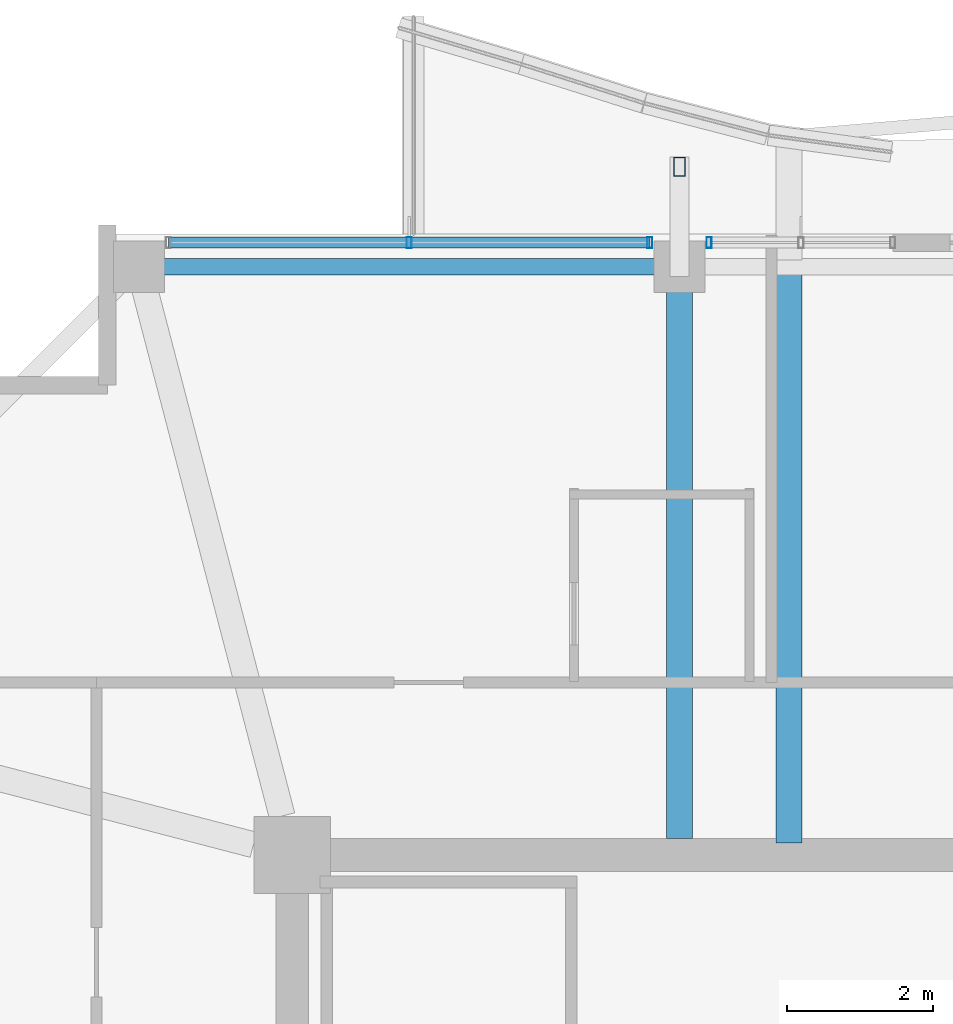
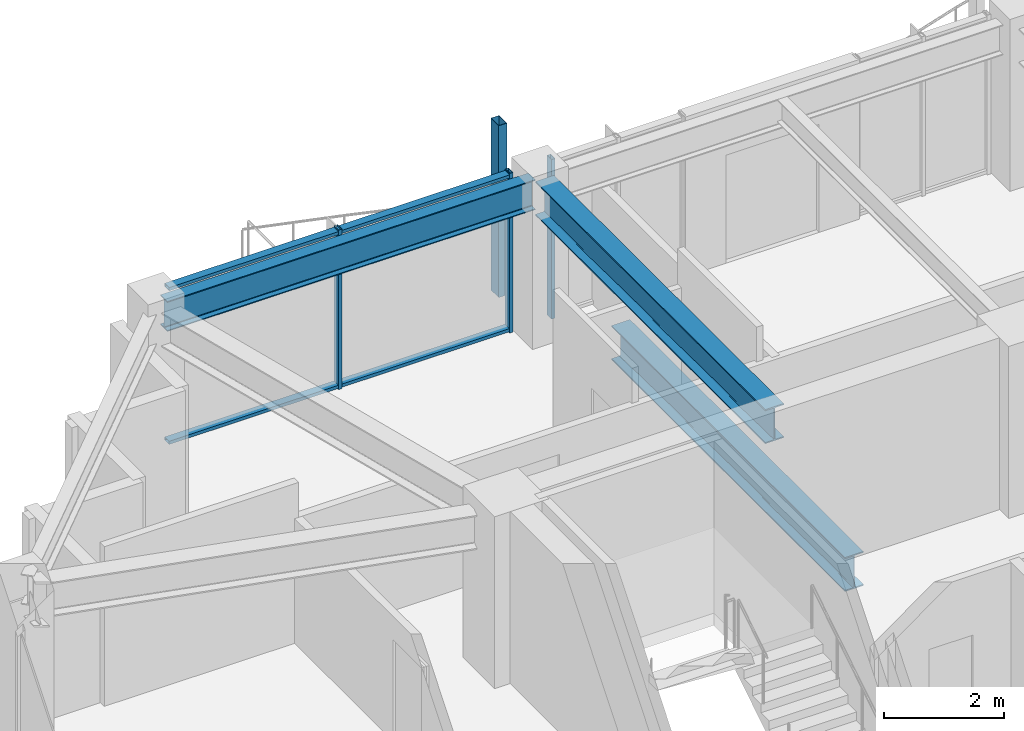
# One storey, part 15 of 31: 6 members, 3 beams, 2 elements without a shape of their own.
"""IFC4 building model written with IfcOpenShell, lengths in metres."""

from ifc_helpers import new_model, si_unit, direction, frame, origin, origin_2d, place, context, subcontext, project, spatial, hollow_rectangle, i_section, extrude, material, material_profile, profile_set, type_object, element, aggregate, save


model = new_model("IFC4")

# Units and contexts
model_context = context("Model", 3, precision=1e-05, world=origin(), true_north=direction((0.0, 1.0)))
body_context = subcontext(model_context, "Body", "Model", "MODEL_VIEW")
ifc_project = project(units=[si_unit("LENGTHUNIT", "METRE"), si_unit("AREAUNIT", "SQUARE_METRE"), si_unit("VOLUMEUNIT", "CUBIC_METRE"), si_unit("PLANEANGLEUNIT", "RADIAN"), si_unit("MASSUNIT", "GRAM", prefix="KILO")], contexts=[model_context])

# Site, building, storey
site_placement = place(None, origin())
site = spatial("IfcSite", under=ifc_project, at=site_placement, CompositionType="ELEMENT")
building_placement = place(site_placement, origin())
building = spatial("IfcBuilding", under=site, at=building_placement, Name="Kolvaren Belvedere", CompositionType="ELEMENT")
storey_placement = place(building_placement, frame((0.0, 0.0, 247.89990234375)))
storey = spatial("IfcBuildingStorey", under=building, at=storey_placement, Name="L72", CompositionType="ELEMENT", Elevation=247.89990234375)

# Beams
ifc_material_1 = material(Name="Structural steel ASTM A992 Grade 50", Category="steel")
ifc_material_profile_1 = material_profile(ifc_material_1, i_section(OverallWidth=0.35498046875, OverallDepth=0.696044921875, WebThickness=0.015380859375, FlangeThickness=0.02490234375, FilletRadius=0.02197265625, at=origin_2d()), Name="W27X146")
ifc_profile_set_1 = profile_set([ifc_material_profile_1], Name="Structural steel ASTM A992 Grade 50")
beam_type_1 = type_object("IfcBeamType", Name="BM-GIRD-W27X146", PredefinedType="BEAM", material=ifc_profile_set_1)
beam_1_placement = place(storey_placement, frame((-3.10009765625, 10.06494140625, -0.597900390625), z_axis=(0.0, 1.0, 0.0), x_axis=(-1.0, 0.0, 0.0)))
element("IfcBeam", 1, at=beam_1_placement, inside=storey, type_object=beam_type_1, Name="L72 Balcony Interior Back-Span Girder BAL-N-1", PredefinedType="BEAM", context=body_context, shape_type="SweptSolid", body=[
    extrude(i_section(OverallWidth=0.35498046875, OverallDepth=0.696044921875, WebThickness=0.015380859375, FlangeThickness=0.02490234375, FilletRadius=0.02197265625, at=origin_2d()), origin(), (0.0, 0.0, 1.0), 7.7900390625),
])
beam_2_placement = place(storey_placement, frame((-4.60009765625, 10.125, 2.902099609375), z_axis=(0.0, 1.0, 0.0), x_axis=(-1.0, 0.0, 0.0)))
element("IfcBeam", 2, at=beam_2_placement, inside=storey, type_object=beam_type_1, Name="L72 North Radial Girder M", PredefinedType="BEAM", context=body_context, shape_type="SweptSolid", body=[
    extrude(i_section(OverallWidth=0.35498046875, OverallDepth=0.696044921875, WebThickness=0.015380859375, FlangeThickness=0.02490234375, FilletRadius=0.02197265625, at=origin_2d()), origin(), (0.0, 0.0, 1.0), 7.66748046875),
])
ifc_material_2 = material(Name="Structural steel ASTM A992 Grade 50", Category="steel")
ifc_material_profile_2 = material_profile(ifc_material_2, i_section(OverallWidth=0.22900390625, OverallDepth=0.612060546875, WebThickness=0.011962890625, FlangeThickness=0.01953125, FilletRadius=0.01806640625, at=origin_2d()), Name="W24X84")
ifc_profile_set_2 = profile_set([ifc_material_profile_2], Name="Structural steel ASTM A992 Grade 50")
beam_type_2 = type_object("IfcBeamType", Name="BM-SPAN-W24X84", PredefinedType="SPANDREL", material=ifc_profile_set_2)
beam_3_placement = place(storey_placement, frame((-4.757568359375, 17.949951171875, 2.944091796875), z_axis=(-1.0, 0.0, 0.0), x_axis=(0.0, -1.0, 0.0)))
element("IfcBeam", 3, at=beam_3_placement, inside=storey, type_object=beam_type_2, Name="L72 Perimeter Spandrel N2-N1", PredefinedType="SPANDREL", context=body_context, shape_type="SweptSolid", body=[
    extrude(i_section(OverallWidth=0.22900390625, OverallDepth=0.612060546875, WebThickness=0.011962890625, FlangeThickness=0.01953125, FilletRadius=0.01806640625, at=origin_2d()), origin(), (0.0, 0.0, 1.0), 7.0849609375),
])

# Curtain wall, members
ifc_material_3 = material(Name="Anodised pale-metal aluminium AA 6063-T6", Category="aluminium")
curtain_wall_type = type_object("IfcCurtainWallType", Name="CW-Z5-HIGH", PredefinedType="NOTDEFINED", material=ifc_material_3)
curtain_wall_1_placement = place(storey_placement, origin())
curtain_wall_1 = element("IfcCurtainWall", 4, at=curtain_wall_1_placement, inside=storey, type_object=curtain_wall_type, Name="L72 Unitised Curtain Wall FCW-L72-N1-B1", PredefinedType="NOTDEFINED")
ifc_material_4 = material(Name="Anodised pale-metal aluminium AA 6063-T6", Category="aluminium")
ifc_material_profile_3 = material_profile(ifc_material_4, hollow_rectangle(XDim=0.070068359375, YDim=0.14990234375, WallThickness=0.004150390625, at=origin_2d()), Name="ALU-MUL-150X70")
ifc_profile_set_3 = profile_set([ifc_material_profile_3], Name="Anodised pale-metal aluminium AA 6063-T6")
member_type_1 = type_object("IfcMemberType", Name="CW-MUL-150", PredefinedType="MULLION", material=ifc_profile_set_3)
member_1_placement = place(storey_placement, frame((-8.300048828125, 18.280029296875, 0.0), z_axis=(0.0, 0.0, 1.0), x_axis=(1.0, 0.0, 0.0)))
member_1 = element("IfcMember", 5, at=member_1_placement, type_object=member_type_1, Name="FCW-L72-N1-B1 Unitised Mullion 2", PredefinedType="MULLION", context=body_context, shape_type="SweptSolid", body=[
    extrude(hollow_rectangle(XDim=0.070068359375, YDim=0.14990234375, WallThickness=0.004150390625, at=origin_2d()), origin(), (0.0, 0.0, 1.0), 3.25),
])
member_2_placement = place(storey_placement, frame((-5.0048828125, 18.280029296875, 0.0), z_axis=(0.0, 0.0, 1.0), x_axis=(1.0, 0.0, 0.0)))
member_2 = element("IfcMember", 6, at=member_2_placement, type_object=member_type_1, Name="FCW-L72-N1-B1 Unitised Mullion 3", PredefinedType="MULLION", context=body_context, shape_type="SweptSolid", body=[
    extrude(hollow_rectangle(XDim=0.070068359375, YDim=0.14990234375, WallThickness=0.004150390625, at=origin_2d()), origin(), (0.0, 0.0, 1.0), 3.25),
])

# Curtain wall, member
curtain_wall_2_placement = place(storey_placement, origin())
curtain_wall_2 = element("IfcCurtainWall", 7, at=curtain_wall_2_placement, inside=storey, type_object=curtain_wall_type, Name="L72 Unitised Curtain Wall FCW-L72-N1-B2", PredefinedType="NOTDEFINED")
member_3_placement = place(storey_placement, frame((-4.195068359375, 18.280029296875, 0.0), z_axis=(0.0, 0.0, 1.0), x_axis=(1.0, 0.0, 0.0)))
member_3 = element("IfcMember", 8, at=member_3_placement, type_object=member_type_1, Name="FCW-L72-N1-B2 Unitised Mullion 1", PredefinedType="MULLION", context=body_context, shape_type="SweptSolid", body=[
    extrude(hollow_rectangle(XDim=0.070068359375, YDim=0.14990234375, WallThickness=0.004150390625, at=origin_2d()), origin(), (0.0, 0.0, 1.0), 3.25),
])
aggregate(curtain_wall_2, [member_3])

# Member
ifc_material_5 = material(Name="Anodised pale-metal aluminium AA 6063-T6", Category="aluminium")
ifc_material_profile_4 = material_profile(ifc_material_5, hollow_rectangle(XDim=0.06494140625, YDim=0.14990234375, WallThickness=0.00390625, at=origin_2d()), Name="ALU-TRN-150X65")
ifc_profile_set_4 = profile_set([ifc_material_profile_4], Name="Anodised pale-metal aluminium AA 6063-T6")
member_type_2 = type_object("IfcMemberType", Name="CW-TRN-150", PredefinedType="USERDEFINED", material=ifc_profile_set_4)
member_4_placement = place(storey_placement, frame((-11.594970703125, 18.280029296875, 0.06005859375), z_axis=(1.0, 0.0, 0.0), x_axis=(0.0, 0.0, 1.0)))
member_4 = element("IfcMember", 9, at=member_4_placement, type_object=member_type_2, Name="FCW-L72-N1-B1 Sill Transom", ObjectType="TRANSOM", PredefinedType="USERDEFINED", context=body_context, shape_type="SweptSolid", body=[
    extrude(hollow_rectangle(XDim=0.06494140625, YDim=0.14990234375, WallThickness=0.00390625, at=origin_2d()), origin(), (0.0, 0.0, 1.0), 6.590087890625),
])

member_5_placement = place(storey_placement, frame((-11.594970703125, 18.280029296875, 3.190185546875), z_axis=(1.0, 0.0, 0.0), x_axis=(0.0, 0.0, 1.0)))
member_5 = element("IfcMember", 10, at=member_5_placement, type_object=member_type_2, Name="FCW-L72-N1-B1 Head Transom", ObjectType="TRANSOM", PredefinedType="USERDEFINED", context=body_context, shape_type="SweptSolid", body=[
    extrude(hollow_rectangle(XDim=0.06494140625, YDim=0.14990234375, WallThickness=0.00390625, at=origin_2d()), origin(), (0.0, 0.0, 1.0), 6.590087890625),
])

aggregate(curtain_wall_1, [member_1, member_2, member_4, member_5])

ifc_material_6 = material(Name="Anodised pale-metal aluminium AA 6063-T6", Category="aluminium")
ifc_material_profile_5 = material_profile(ifc_material_6, hollow_rectangle(XDim=0.159912109375, YDim=0.260009765625, WallThickness=0.006591796875, at=origin_2d()), Name="ALU-PF-260X160")
ifc_profile_set_5 = profile_set([ifc_material_profile_5], Name="Anodised pale-metal aluminium AA 6063-T6")
member_type_3 = type_object("IfcMemberType", Name="PF-FRAME-260", PredefinedType="USERDEFINED", material=ifc_profile_set_5)
member_6_placement = place(storey_placement, frame((-4.60009765625, 19.320068359375, 0.0), z_axis=(0.0, 0.0, 1.0), x_axis=(1.0, 0.0, 0.0)))
element("IfcMember", 11, at=member_6_placement, inside=storey, type_object=member_type_3, Name="L72 Outboard Picture-Frame Vertical N1", ObjectType="PICTURE FRAME FIN", PredefinedType="USERDEFINED", context=body_context, shape_type="SweptSolid", body=[
    extrude(hollow_rectangle(XDim=0.159912109375, YDim=0.260009765625, WallThickness=0.006591796875, at=origin_2d()), origin(), (0.0, 0.0, 1.0), 3.5),
])

save(model, "model.ifc")
